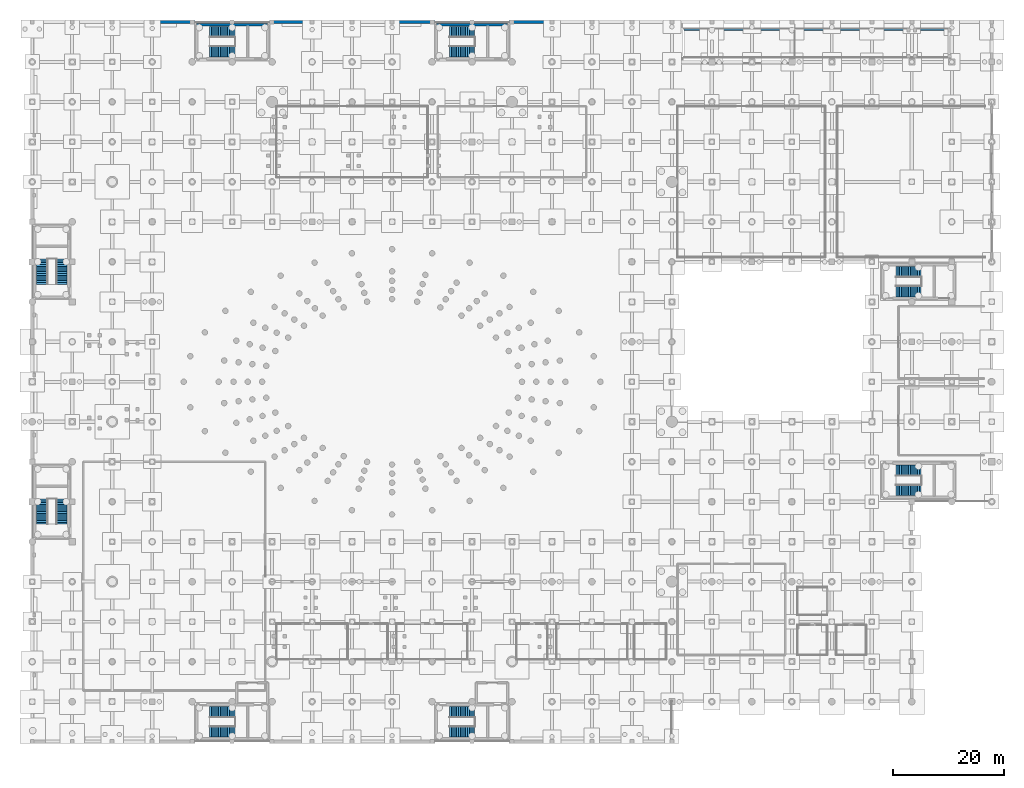
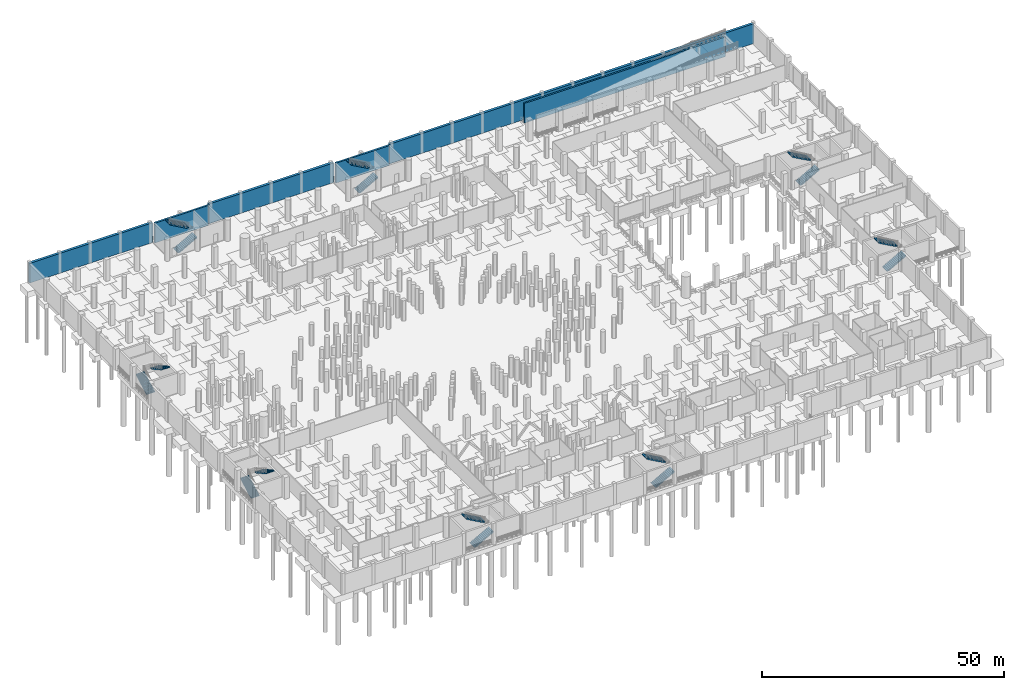
# One storey, part 29 of 37: 16 stair flights, 6 walls, 8 elements without a shape of their own.
"""IFC4 building model written with IfcOpenShell, lengths in metres."""

from ifc_helpers import new_model, si_unit, direction, frame, frame_2d, origin, place, context, subcontext, project, spatial, polyline, rectangle, outline, extrude, material, layer, layer_set, type_object, element, aggregate, save


model = new_model("IFC4")

# Units and contexts
model_context = context("Model", 3, precision=1e-05, world=origin(), true_north=direction((0.0, 1.0)))
body_context = subcontext(model_context, "Body", "Model", "MODEL_VIEW")
ifc_project = project(units=[si_unit("LENGTHUNIT", "METRE"), si_unit("AREAUNIT", "SQUARE_METRE"), si_unit("VOLUMEUNIT", "CUBIC_METRE"), si_unit("PLANEANGLEUNIT", "RADIAN"), si_unit("MASSUNIT", "GRAM", prefix="KILO")], contexts=[model_context])

# Site, building, storey
site_placement = place(None, origin())
site = spatial("IfcSite", under=ifc_project, at=site_placement, CompositionType="ELEMENT")
building_placement = place(site_placement, origin())
building = spatial("IfcBuilding", under=site, at=building_placement, Name="Qandorah Velis Arena", CompositionType="ELEMENT")
storey_placement = place(building_placement, frame((0.0, 0.0, -5.39990234375)))
storey = spatial("IfcBuildingStorey", under=building, at=storey_placement, Name="B1", CompositionType="ELEMENT", Elevation=-5.39990234375)

# Walls
ifc_material = material(Name="Concrete C40/50", Category="concrete")
ifc_layer_1 = layer(ifc_material, 0.449951171875)
ifc_layer_set_1 = layer_set([ifc_layer_1], Name="Concrete C40/50")
wall_type_1 = type_object("IfcWallType", Name="STR-WAL-CORE450", PredefinedType="SHEAR", material=ifc_layer_set_1)
wall_1_placement = place(storey_placement, frame((29.60009765625, 129.10009765625, 0.0), z_axis=(0.0, 0.0, 1.0), x_axis=(1.0, 0.0, 0.0)))
element("IfcWall", 1, at=wall_1_placement, inside=storey, type_object=wall_type_1, Name="Core CORE-03 shear wall N (B1)", PredefinedType="SHEAR", context=body_context, shape_type="SweptSolid", body=[
    extrude(rectangle(XDim=12.7998046875, YDim=0.449951171875, at=frame_2d((6.39990234375, 0.0))), origin(), (0.0, 0.0, 1.0), 5.02001953125),
])
wall_2_placement = place(storey_placement, frame((72.800048828125, 129.10009765625, 0.0), z_axis=(0.0, 0.0, 1.0), x_axis=(1.0, 0.0, 0.0)))
element("IfcWall", 2, at=wall_2_placement, inside=storey, type_object=wall_type_1, Name="Core CORE-04 shear wall N (B1)", PredefinedType="SHEAR", context=body_context, shape_type="SweptSolid", body=[
    extrude(rectangle(XDim=12.800048828125, YDim=0.449951171875, at=frame_2d((6.39990234375, 0.0))), origin(), (0.0, 0.0, 1.0), 5.02001953125),
])
ifc_layer_2 = layer(ifc_material, 0.60009765625)
ifc_layer_set_2 = layer_set([ifc_layer_2], Name="Concrete C40/50")
wall_type_2 = type_object("IfcWallType", Name="STR-WAL-RET600", PredefinedType="USERDEFINED", material=ifc_layer_set_2)
wall_3_placement = place(storey_placement, frame((0.0, 129.60009765625, 0.0), z_axis=(0.0, 0.0, 1.0), x_axis=(1.0, 0.0, 0.0)))
element("IfcWall", 3, at=wall_3_placement, inside=storey, type_object=wall_type_2, Name="Basement retaining wall RET-N1", ObjectType="RETAINING WALL", PredefinedType="USERDEFINED", context=body_context, shape_type="SweptSolid", body=[
    extrude(rectangle(XDim=29.300048828125, YDim=0.60009765625, at=frame_2d((14.64990234375, 0.0))), origin(), (0.0, 0.0, 1.0), 4.97998046875),
])
wall_4_placement = place(storey_placement, frame((42.699951171875, 129.60009765625, 0.0), z_axis=(0.0, 0.0, 1.0), x_axis=(1.0, 0.0, 0.0)))
element("IfcWall", 4, at=wall_4_placement, inside=storey, type_object=wall_type_2, Name="Basement retaining wall RET-N2", ObjectType="RETAINING WALL", PredefinedType="USERDEFINED", context=body_context, shape_type="SweptSolid", body=[
    extrude(rectangle(XDim=29.800048828125, YDim=0.60009765625, at=frame_2d((14.89990234375, 0.0))), origin(), (0.0, 0.0, 1.0), 4.97998046875),
])
wall_5_placement = place(storey_placement, frame((85.89990234375, 129.60009765625, 0.0), z_axis=(0.0, 0.0, 1.0), x_axis=(1.0, 0.0, 0.0)))
element("IfcWall", 5, at=wall_5_placement, inside=storey, type_object=wall_type_2, Name="Basement retaining wall RET-N3", ObjectType="RETAINING WALL", PredefinedType="USERDEFINED", context=body_context, shape_type="SweptSolid", body=[
    extrude(rectangle(XDim=86.900146484375, YDim=0.60009765625, at=frame_2d((43.4501953125, 0.0))), origin(), (0.0, 0.0, 1.0), 4.97998046875),
])
ifc_layer_3 = layer(ifc_material, 0.39990234375)
ifc_layer_set_3 = layer_set([ifc_layer_3], Name="Concrete C40/50")
wall_type_3 = type_object("IfcWallType", Name="STR-WAL-SH400", PredefinedType="SHEAR", material=ifc_layer_set_3)
wall_6_placement = place(storey_placement, frame((117.39990234375, 128.300048828125, 0.0), z_axis=(0.0, 0.0, 1.0), x_axis=(1.0, 0.0, 0.0)))
element("IfcWall", 6, at=wall_6_placement, inside=storey, type_object=wall_type_3, Name="Basement retaining wall RW-VR1-N", PredefinedType="SHEAR", context=body_context, shape_type="SweptSolid", body=[
    extrude(rectangle(XDim=48.0, YDim=0.39990234375, at=frame_2d((24.0, 0.0))), origin(), (0.0, 0.0, 1.0), 4.97998046875),
])

# Stair, stair flights
stair_type = type_object("IfcStairType", Name="ARC-ST-CORE54", PredefinedType="HALF_TURN_STAIR", material=ifc_material)
stair_1_placement = place(storey_placement, origin())
stair_1 = element("IfcStair", 7, at=stair_1_placement, inside=storey, type_object=stair_type, Name="Protected exit stair ST1 (B1)", PredefinedType="HALF_TURN_STAIR")
stair_flight_type = type_object("IfcStairFlightType", Name="ARC-STF-1650", PredefinedType="STRAIGHT", material=ifc_material)
stair_flight_1_placement = place(storey_placement, frame((31.949951171875, 1.800048828125, 0.0), z_axis=(0.0, 0.0, 1.0), x_axis=(1.0, 0.0, 0.0)))
stair_flight_1 = element("IfcStairFlight", 8, at=stair_flight_1_placement, type_object=stair_flight_type, Name="ST1 flight 1", NumberOfRisers=15, NumberOfTreads=14, PredefinedType="STRAIGHT", RiserHeight=0.18, TreadLength=0.324, context=body_context, shape_type="SweptSolid", body=[
    extrude(outline(polyline([(0.0, 0.0), (0.0, 0.179931640625), (0.323974609375, 0.179931640625), (0.323974609375, 0.360107421875), (0.64794921875, 0.360107421875), (0.64794921875, 0.5400390625), (0.971923828125, 0.5400390625), (0.971923828125, 0.719970703125), (1.2958984375, 0.719970703125), (1.2958984375, 0.89990234375), (1.6201171875, 0.89990234375), (1.6201171875, 1.080078125), (1.944091796875, 1.080078125), (1.944091796875, 1.260009765625), (2.26806640625, 1.260009765625), (2.26806640625, 1.43994140625), (2.592041015625, 1.43994140625), (2.592041015625, 1.6201171875), (2.916015625, 1.6201171875), (2.916015625, 1.800048828125), (3.239990234375, 1.800048828125), (3.239990234375, 1.97998046875), (3.56396484375, 1.97998046875), (3.56396484375, 2.159912109375), (3.887939453125, 2.159912109375), (3.887939453125, 2.340087890625), (4.2119140625, 2.340087890625), (4.2119140625, 2.52001953125), (4.535888671875, 2.52001953125), (4.535888671875, 2.699951171875), (4.535888671875, 2.268310546875), (0.452880859375, 0.0), (0.0, 0.0)])), frame((0.0, 0.989990234375, 0.0), z_axis=(0.0, -1.0, 0.0), x_axis=(1.0, 0.0, 0.0)), (0.0, 0.0, 1.0), 1.97998046875),
])
stair_flight_2_placement = place(storey_placement, frame((36.486083984375, 5.300048828125, 2.699951171875), z_axis=(0.0, 0.0, 1.0), x_axis=(-1.0, 0.0, 0.0)))
stair_flight_2 = element("IfcStairFlight", 9, at=stair_flight_2_placement, type_object=stair_flight_type, Name="ST1 flight 2", NumberOfRisers=15, NumberOfTreads=14, PredefinedType="STRAIGHT", RiserHeight=0.18, TreadLength=0.324, context=body_context, shape_type="SweptSolid", body=[
    extrude(outline(polyline([(0.0, 0.0), (0.0, 0.179931640625), (0.323974609375, 0.179931640625), (0.323974609375, 0.360107421875), (0.64794921875, 0.360107421875), (0.64794921875, 0.5400390625), (0.971923828125, 0.5400390625), (0.971923828125, 0.719970703125), (1.2958984375, 0.719970703125), (1.2958984375, 0.89990234375), (1.6201171875, 0.89990234375), (1.6201171875, 1.080078125), (1.944091796875, 1.080078125), (1.944091796875, 1.260009765625), (2.26806640625, 1.260009765625), (2.26806640625, 1.43994140625), (2.592041015625, 1.43994140625), (2.592041015625, 1.6201171875), (2.916015625, 1.6201171875), (2.916015625, 1.800048828125), (3.239990234375, 1.800048828125), (3.239990234375, 1.97998046875), (3.56396484375, 1.97998046875), (3.56396484375, 2.159912109375), (3.887939453125, 2.159912109375), (3.887939453125, 2.340087890625), (4.2119140625, 2.340087890625), (4.2119140625, 2.52001953125), (4.535888671875, 2.52001953125), (4.535888671875, 2.699951171875), (4.535888671875, 2.268310546875), (0.452880859375, 0.0), (0.0, 0.0)])), frame((0.0, 0.989990234375, 0.0), z_axis=(0.0, -1.0, 0.0), x_axis=(1.0, 0.0, 0.0)), (0.0, 0.0, 1.0), 1.97998046875),
])
aggregate(stair_1, [stair_flight_1, stair_flight_2])

stair_2_placement = place(storey_placement, origin())
stair_2 = element("IfcStair", 10, at=stair_2_placement, inside=storey, type_object=stair_type, Name="Protected exit stair ST2 (B1)", PredefinedType="HALF_TURN_STAIR")
stair_flight_3_placement = place(storey_placement, frame((75.14990234375, 1.800048828125, 0.0), z_axis=(0.0, 0.0, 1.0), x_axis=(1.0, 0.0, 0.0)))
stair_flight_3 = element("IfcStairFlight", 11, at=stair_flight_3_placement, type_object=stair_flight_type, Name="ST2 flight 1", NumberOfRisers=15, NumberOfTreads=14, PredefinedType="STRAIGHT", RiserHeight=0.18, TreadLength=0.324, context=body_context, shape_type="SweptSolid", body=[
    extrude(outline(polyline([(0.0, 0.0), (0.0, 0.179931640625), (0.323974609375, 0.179931640625), (0.323974609375, 0.360107421875), (0.64794921875, 0.360107421875), (0.64794921875, 0.5400390625), (0.971923828125, 0.5400390625), (0.971923828125, 0.719970703125), (1.2958984375, 0.719970703125), (1.2958984375, 0.89990234375), (1.6201171875, 0.89990234375), (1.6201171875, 1.080078125), (1.944091796875, 1.080078125), (1.944091796875, 1.260009765625), (2.26806640625, 1.260009765625), (2.26806640625, 1.43994140625), (2.592041015625, 1.43994140625), (2.592041015625, 1.6201171875), (2.916015625, 1.6201171875), (2.916015625, 1.800048828125), (3.239990234375, 1.800048828125), (3.239990234375, 1.97998046875), (3.56396484375, 1.97998046875), (3.56396484375, 2.159912109375), (3.887939453125, 2.159912109375), (3.887939453125, 2.340087890625), (4.2119140625, 2.340087890625), (4.2119140625, 2.52001953125), (4.535888671875, 2.52001953125), (4.535888671875, 2.699951171875), (4.535888671875, 2.268310546875), (0.452880859375, 0.0), (0.0, 0.0)])), frame((0.0, 0.989990234375, 0.0), z_axis=(0.0, -1.0, 0.0), x_axis=(1.0, 0.0, 0.0)), (0.0, 0.0, 1.0), 1.97998046875),
])
stair_flight_4_placement = place(storey_placement, frame((79.68603515625, 5.300048828125, 2.699951171875), z_axis=(0.0, 0.0, 1.0), x_axis=(-1.0, 0.0, 0.0)))
stair_flight_4 = element("IfcStairFlight", 12, at=stair_flight_4_placement, type_object=stair_flight_type, Name="ST2 flight 2", NumberOfRisers=15, NumberOfTreads=14, PredefinedType="STRAIGHT", RiserHeight=0.18, TreadLength=0.324, context=body_context, shape_type="SweptSolid", body=[
    extrude(outline(polyline([(0.0, 0.0), (0.0, 0.179931640625), (0.323974609375, 0.179931640625), (0.323974609375, 0.360107421875), (0.64794921875, 0.360107421875), (0.64794921875, 0.5400390625), (0.971923828125, 0.5400390625), (0.971923828125, 0.719970703125), (1.2958984375, 0.719970703125), (1.2958984375, 0.89990234375), (1.6201171875, 0.89990234375), (1.6201171875, 1.080078125), (1.944091796875, 1.080078125), (1.944091796875, 1.260009765625), (2.26806640625, 1.260009765625), (2.26806640625, 1.43994140625), (2.592041015625, 1.43994140625), (2.592041015625, 1.6201171875), (2.916015625, 1.6201171875), (2.916015625, 1.800048828125), (3.239990234375, 1.800048828125), (3.239990234375, 1.97998046875), (3.56396484375, 1.97998046875), (3.56396484375, 2.159912109375), (3.887939453125, 2.159912109375), (3.887939453125, 2.340087890625), (4.2119140625, 2.340087890625), (4.2119140625, 2.52001953125), (4.535888671875, 2.52001953125), (4.535888671875, 2.699951171875), (4.535888671875, 2.268310546875), (0.452880859375, 0.0), (0.0, 0.0)])), frame((0.0, 0.989990234375, 0.0), z_axis=(0.0, -1.0, 0.0), x_axis=(1.0, 0.0, 0.0)), (0.0, 0.0, 1.0), 1.97998046875),
])
aggregate(stair_2, [stair_flight_3, stair_flight_4])

stair_3_placement = place(storey_placement, origin())
stair_3 = element("IfcStair", 13, at=stair_3_placement, inside=storey, type_object=stair_type, Name="Protected exit stair ST3 (B1)", PredefinedType="HALF_TURN_STAIR")
stair_flight_5_placement = place(storey_placement, frame((31.949951171875, 124.300048828125, 0.0), z_axis=(0.0, 0.0, 1.0), x_axis=(1.0, 0.0, 0.0)))
stair_flight_5 = element("IfcStairFlight", 14, at=stair_flight_5_placement, type_object=stair_flight_type, Name="ST3 flight 1", NumberOfRisers=15, NumberOfTreads=14, PredefinedType="STRAIGHT", RiserHeight=0.18, TreadLength=0.324, context=body_context, shape_type="SweptSolid", body=[
    extrude(outline(polyline([(0.0, 0.0), (0.0, 0.179931640625), (0.323974609375, 0.179931640625), (0.323974609375, 0.360107421875), (0.64794921875, 0.360107421875), (0.64794921875, 0.5400390625), (0.971923828125, 0.5400390625), (0.971923828125, 0.719970703125), (1.2958984375, 0.719970703125), (1.2958984375, 0.89990234375), (1.6201171875, 0.89990234375), (1.6201171875, 1.080078125), (1.944091796875, 1.080078125), (1.944091796875, 1.260009765625), (2.26806640625, 1.260009765625), (2.26806640625, 1.43994140625), (2.592041015625, 1.43994140625), (2.592041015625, 1.6201171875), (2.916015625, 1.6201171875), (2.916015625, 1.800048828125), (3.239990234375, 1.800048828125), (3.239990234375, 1.97998046875), (3.56396484375, 1.97998046875), (3.56396484375, 2.159912109375), (3.887939453125, 2.159912109375), (3.887939453125, 2.340087890625), (4.2119140625, 2.340087890625), (4.2119140625, 2.52001953125), (4.535888671875, 2.52001953125), (4.535888671875, 2.699951171875), (4.535888671875, 2.268310546875), (0.452880859375, 0.0), (0.0, 0.0)])), frame((0.0, 0.989990234375, 0.0), z_axis=(0.0, -1.0, 0.0), x_axis=(1.0, 0.0, 0.0)), (0.0, 0.0, 1.0), 1.97998046875),
])
stair_flight_6_placement = place(storey_placement, frame((36.486083984375, 127.800048828125, 2.699951171875), z_axis=(0.0, 0.0, 1.0), x_axis=(-1.0, 0.0, 0.0)))
stair_flight_6 = element("IfcStairFlight", 15, at=stair_flight_6_placement, type_object=stair_flight_type, Name="ST3 flight 2", NumberOfRisers=15, NumberOfTreads=14, PredefinedType="STRAIGHT", RiserHeight=0.18, TreadLength=0.324, context=body_context, shape_type="SweptSolid", body=[
    extrude(outline(polyline([(0.0, 0.0), (0.0, 0.179931640625), (0.323974609375, 0.179931640625), (0.323974609375, 0.360107421875), (0.64794921875, 0.360107421875), (0.64794921875, 0.5400390625), (0.971923828125, 0.5400390625), (0.971923828125, 0.719970703125), (1.2958984375, 0.719970703125), (1.2958984375, 0.89990234375), (1.6201171875, 0.89990234375), (1.6201171875, 1.080078125), (1.944091796875, 1.080078125), (1.944091796875, 1.260009765625), (2.26806640625, 1.260009765625), (2.26806640625, 1.43994140625), (2.592041015625, 1.43994140625), (2.592041015625, 1.6201171875), (2.916015625, 1.6201171875), (2.916015625, 1.800048828125), (3.239990234375, 1.800048828125), (3.239990234375, 1.97998046875), (3.56396484375, 1.97998046875), (3.56396484375, 2.159912109375), (3.887939453125, 2.159912109375), (3.887939453125, 2.340087890625), (4.2119140625, 2.340087890625), (4.2119140625, 2.52001953125), (4.535888671875, 2.52001953125), (4.535888671875, 2.699951171875), (4.535888671875, 2.268310546875), (0.452880859375, 0.0), (0.0, 0.0)])), frame((0.0, 0.989990234375, 0.0), z_axis=(0.0, -1.0, 0.0), x_axis=(1.0, 0.0, 0.0)), (0.0, 0.0, 1.0), 1.97998046875),
])
aggregate(stair_3, [stair_flight_5, stair_flight_6])

stair_4_placement = place(storey_placement, origin())
stair_4 = element("IfcStair", 16, at=stair_4_placement, inside=storey, type_object=stair_type, Name="Protected exit stair ST4 (B1)", PredefinedType="HALF_TURN_STAIR")
stair_flight_7_placement = place(storey_placement, frame((75.14990234375, 124.300048828125, 0.0), z_axis=(0.0, 0.0, 1.0), x_axis=(1.0, 0.0, 0.0)))
stair_flight_7 = element("IfcStairFlight", 17, at=stair_flight_7_placement, type_object=stair_flight_type, Name="ST4 flight 1", NumberOfRisers=15, NumberOfTreads=14, PredefinedType="STRAIGHT", RiserHeight=0.18, TreadLength=0.324, context=body_context, shape_type="SweptSolid", body=[
    extrude(outline(polyline([(0.0, 0.0), (0.0, 0.179931640625), (0.323974609375, 0.179931640625), (0.323974609375, 0.360107421875), (0.64794921875, 0.360107421875), (0.64794921875, 0.5400390625), (0.971923828125, 0.5400390625), (0.971923828125, 0.719970703125), (1.2958984375, 0.719970703125), (1.2958984375, 0.89990234375), (1.6201171875, 0.89990234375), (1.6201171875, 1.080078125), (1.944091796875, 1.080078125), (1.944091796875, 1.260009765625), (2.26806640625, 1.260009765625), (2.26806640625, 1.43994140625), (2.592041015625, 1.43994140625), (2.592041015625, 1.6201171875), (2.916015625, 1.6201171875), (2.916015625, 1.800048828125), (3.239990234375, 1.800048828125), (3.239990234375, 1.97998046875), (3.56396484375, 1.97998046875), (3.56396484375, 2.159912109375), (3.887939453125, 2.159912109375), (3.887939453125, 2.340087890625), (4.2119140625, 2.340087890625), (4.2119140625, 2.52001953125), (4.535888671875, 2.52001953125), (4.535888671875, 2.699951171875), (4.535888671875, 2.268310546875), (0.452880859375, 0.0), (0.0, 0.0)])), frame((0.0, 0.989990234375, 0.0), z_axis=(0.0, -1.0, 0.0), x_axis=(1.0, 0.0, 0.0)), (0.0, 0.0, 1.0), 1.97998046875),
])
stair_flight_8_placement = place(storey_placement, frame((79.68603515625, 127.800048828125, 2.699951171875), z_axis=(0.0, 0.0, 1.0), x_axis=(-1.0, 0.0, 0.0)))
stair_flight_8 = element("IfcStairFlight", 18, at=stair_flight_8_placement, type_object=stair_flight_type, Name="ST4 flight 2", NumberOfRisers=15, NumberOfTreads=14, PredefinedType="STRAIGHT", RiserHeight=0.18, TreadLength=0.324, context=body_context, shape_type="SweptSolid", body=[
    extrude(outline(polyline([(0.0, 0.0), (0.0, 0.179931640625), (0.323974609375, 0.179931640625), (0.323974609375, 0.360107421875), (0.64794921875, 0.360107421875), (0.64794921875, 0.5400390625), (0.971923828125, 0.5400390625), (0.971923828125, 0.719970703125), (1.2958984375, 0.719970703125), (1.2958984375, 0.89990234375), (1.6201171875, 0.89990234375), (1.6201171875, 1.080078125), (1.944091796875, 1.080078125), (1.944091796875, 1.260009765625), (2.26806640625, 1.260009765625), (2.26806640625, 1.43994140625), (2.592041015625, 1.43994140625), (2.592041015625, 1.6201171875), (2.916015625, 1.6201171875), (2.916015625, 1.800048828125), (3.239990234375, 1.800048828125), (3.239990234375, 1.97998046875), (3.56396484375, 1.97998046875), (3.56396484375, 2.159912109375), (3.887939453125, 2.159912109375), (3.887939453125, 2.340087890625), (4.2119140625, 2.340087890625), (4.2119140625, 2.52001953125), (4.535888671875, 2.52001953125), (4.535888671875, 2.699951171875), (4.535888671875, 2.268310546875), (0.452880859375, 0.0), (0.0, 0.0)])), frame((0.0, 0.989990234375, 0.0), z_axis=(0.0, -1.0, 0.0), x_axis=(1.0, 0.0, 0.0)), (0.0, 0.0, 1.0), 1.97998046875),
])
aggregate(stair_4, [stair_flight_7, stair_flight_8])

stair_5_placement = place(storey_placement, origin())
stair_5 = element("IfcStair", 19, at=stair_5_placement, inside=storey, type_object=stair_type, Name="Protected exit stair ST5 (B1)", PredefinedType="HALF_TURN_STAIR")
stair_flight_9_placement = place(storey_placement, frame((1.800048828125, 39.14990234375, 0.0), z_axis=(0.0, 0.0, 1.0), x_axis=(0.0, 1.0, 0.0)))
stair_flight_9 = element("IfcStairFlight", 20, at=stair_flight_9_placement, type_object=stair_flight_type, Name="ST5 flight 1", NumberOfRisers=15, NumberOfTreads=14, PredefinedType="STRAIGHT", RiserHeight=0.18, TreadLength=0.324, context=body_context, shape_type="SweptSolid", body=[
    extrude(outline(polyline([(0.0, 0.0), (0.0, 0.179931640625), (0.323974609375, 0.179931640625), (0.323974609375, 0.360107421875), (0.64794921875, 0.360107421875), (0.64794921875, 0.5400390625), (0.971923828125, 0.5400390625), (0.971923828125, 0.719970703125), (1.2958984375, 0.719970703125), (1.2958984375, 0.89990234375), (1.6201171875, 0.89990234375), (1.6201171875, 1.080078125), (1.944091796875, 1.080078125), (1.944091796875, 1.260009765625), (2.26806640625, 1.260009765625), (2.26806640625, 1.43994140625), (2.592041015625, 1.43994140625), (2.592041015625, 1.6201171875), (2.916015625, 1.6201171875), (2.916015625, 1.800048828125), (3.239990234375, 1.800048828125), (3.239990234375, 1.97998046875), (3.56396484375, 1.97998046875), (3.56396484375, 2.159912109375), (3.887939453125, 2.159912109375), (3.887939453125, 2.340087890625), (4.2119140625, 2.340087890625), (4.2119140625, 2.52001953125), (4.535888671875, 2.52001953125), (4.535888671875, 2.699951171875), (4.535888671875, 2.268310546875), (0.452880859375, 0.0), (0.0, 0.0)])), frame((0.0, 0.989990234375, 0.0), z_axis=(0.0, -1.0, 0.0), x_axis=(1.0, 0.0, 0.0)), (0.0, 0.0, 1.0), 1.97998046875),
])
stair_flight_10_placement = place(storey_placement, frame((5.300048828125, 43.68603515625, 2.699951171875), z_axis=(0.0, 0.0, 1.0), x_axis=(0.0, -1.0, 0.0)))
stair_flight_10 = element("IfcStairFlight", 21, at=stair_flight_10_placement, type_object=stair_flight_type, Name="ST5 flight 2", NumberOfRisers=15, NumberOfTreads=14, PredefinedType="STRAIGHT", RiserHeight=0.18, TreadLength=0.324, context=body_context, shape_type="SweptSolid", body=[
    extrude(outline(polyline([(0.0, 0.0), (0.0, 0.179931640625), (0.323974609375, 0.179931640625), (0.323974609375, 0.360107421875), (0.64794921875, 0.360107421875), (0.64794921875, 0.5400390625), (0.971923828125, 0.5400390625), (0.971923828125, 0.719970703125), (1.2958984375, 0.719970703125), (1.2958984375, 0.89990234375), (1.6201171875, 0.89990234375), (1.6201171875, 1.080078125), (1.944091796875, 1.080078125), (1.944091796875, 1.260009765625), (2.26806640625, 1.260009765625), (2.26806640625, 1.43994140625), (2.592041015625, 1.43994140625), (2.592041015625, 1.6201171875), (2.916015625, 1.6201171875), (2.916015625, 1.800048828125), (3.239990234375, 1.800048828125), (3.239990234375, 1.97998046875), (3.56396484375, 1.97998046875), (3.56396484375, 2.159912109375), (3.887939453125, 2.159912109375), (3.887939453125, 2.340087890625), (4.2119140625, 2.340087890625), (4.2119140625, 2.52001953125), (4.535888671875, 2.52001953125), (4.535888671875, 2.699951171875), (4.535888671875, 2.268310546875), (0.452880859375, 0.0), (0.0, 0.0)])), frame((0.0, 0.989990234375, 0.0), z_axis=(0.0, -1.0, 0.0), x_axis=(1.0, 0.0, 0.0)), (0.0, 0.0, 1.0), 1.97998046875),
])
aggregate(stair_5, [stair_flight_9, stair_flight_10])

stair_6_placement = place(storey_placement, origin())
stair_6 = element("IfcStair", 22, at=stair_6_placement, inside=storey, type_object=stair_type, Name="Protected exit stair ST6 (B1)", PredefinedType="HALF_TURN_STAIR")
stair_flight_11_placement = place(storey_placement, frame((1.800048828125, 82.35009765625, 0.0), z_axis=(0.0, 0.0, 1.0), x_axis=(0.0, 1.0, 0.0)))
stair_flight_11 = element("IfcStairFlight", 23, at=stair_flight_11_placement, type_object=stair_flight_type, Name="ST6 flight 1", NumberOfRisers=15, NumberOfTreads=14, PredefinedType="STRAIGHT", RiserHeight=0.18, TreadLength=0.324, context=body_context, shape_type="SweptSolid", body=[
    extrude(outline(polyline([(0.0, 0.0), (0.0, 0.179931640625), (0.323974609375, 0.179931640625), (0.323974609375, 0.360107421875), (0.64794921875, 0.360107421875), (0.64794921875, 0.5400390625), (0.971923828125, 0.5400390625), (0.971923828125, 0.719970703125), (1.2958984375, 0.719970703125), (1.2958984375, 0.89990234375), (1.6201171875, 0.89990234375), (1.6201171875, 1.080078125), (1.944091796875, 1.080078125), (1.944091796875, 1.260009765625), (2.26806640625, 1.260009765625), (2.26806640625, 1.43994140625), (2.592041015625, 1.43994140625), (2.592041015625, 1.6201171875), (2.916015625, 1.6201171875), (2.916015625, 1.800048828125), (3.239990234375, 1.800048828125), (3.239990234375, 1.97998046875), (3.56396484375, 1.97998046875), (3.56396484375, 2.159912109375), (3.887939453125, 2.159912109375), (3.887939453125, 2.340087890625), (4.2119140625, 2.340087890625), (4.2119140625, 2.52001953125), (4.535888671875, 2.52001953125), (4.535888671875, 2.699951171875), (4.535888671875, 2.268310546875), (0.452880859375, 0.0), (0.0, 0.0)])), frame((0.0, 0.989990234375, 0.0), z_axis=(0.0, -1.0, 0.0), x_axis=(1.0, 0.0, 0.0)), (0.0, 0.0, 1.0), 1.97998046875),
])
stair_flight_12_placement = place(storey_placement, frame((5.300048828125, 86.885986328125, 2.699951171875), z_axis=(0.0, 0.0, 1.0), x_axis=(0.0, -1.0, 0.0)))
stair_flight_12 = element("IfcStairFlight", 24, at=stair_flight_12_placement, type_object=stair_flight_type, Name="ST6 flight 2", NumberOfRisers=15, NumberOfTreads=14, PredefinedType="STRAIGHT", RiserHeight=0.18, TreadLength=0.324, context=body_context, shape_type="SweptSolid", body=[
    extrude(outline(polyline([(0.0, 0.0), (0.0, 0.179931640625), (0.323974609375, 0.179931640625), (0.323974609375, 0.360107421875), (0.64794921875, 0.360107421875), (0.64794921875, 0.5400390625), (0.971923828125, 0.5400390625), (0.971923828125, 0.719970703125), (1.2958984375, 0.719970703125), (1.2958984375, 0.89990234375), (1.6201171875, 0.89990234375), (1.6201171875, 1.080078125), (1.944091796875, 1.080078125), (1.944091796875, 1.260009765625), (2.26806640625, 1.260009765625), (2.26806640625, 1.43994140625), (2.592041015625, 1.43994140625), (2.592041015625, 1.6201171875), (2.916015625, 1.6201171875), (2.916015625, 1.800048828125), (3.239990234375, 1.800048828125), (3.239990234375, 1.97998046875), (3.56396484375, 1.97998046875), (3.56396484375, 2.159912109375), (3.887939453125, 2.159912109375), (3.887939453125, 2.340087890625), (4.2119140625, 2.340087890625), (4.2119140625, 2.52001953125), (4.535888671875, 2.52001953125), (4.535888671875, 2.699951171875), (4.535888671875, 2.268310546875), (0.452880859375, 0.0), (0.0, 0.0)])), frame((0.0, 0.989990234375, 0.0), z_axis=(0.0, -1.0, 0.0), x_axis=(1.0, 0.0, 0.0)), (0.0, 0.0, 1.0), 1.97998046875),
])
aggregate(stair_6, [stair_flight_11, stair_flight_12])

stair_7_placement = place(storey_placement, origin())
stair_7 = element("IfcStair", 25, at=stair_7_placement, inside=storey, type_object=stair_type, Name="Protected exit stair ST7 (B1)", PredefinedType="HALF_TURN_STAIR")
stair_flight_13_placement = place(storey_placement, frame((155.550048828125, 45.300048828125, 0.0), z_axis=(0.0, 0.0, 1.0), x_axis=(1.0, 0.0, 0.0)))
stair_flight_13 = element("IfcStairFlight", 26, at=stair_flight_13_placement, type_object=stair_flight_type, Name="ST7 flight 1", NumberOfRisers=15, NumberOfTreads=14, PredefinedType="STRAIGHT", RiserHeight=0.18, TreadLength=0.324, context=body_context, shape_type="SweptSolid", body=[
    extrude(outline(polyline([(0.0, 0.0), (0.0, 0.179931640625), (0.323974609375, 0.179931640625), (0.323974609375, 0.360107421875), (0.64794921875, 0.360107421875), (0.64794921875, 0.5400390625), (0.971923828125, 0.5400390625), (0.971923828125, 0.719970703125), (1.2958984375, 0.719970703125), (1.2958984375, 0.89990234375), (1.6201171875, 0.89990234375), (1.6201171875, 1.080078125), (1.944091796875, 1.080078125), (1.944091796875, 1.260009765625), (2.26806640625, 1.260009765625), (2.26806640625, 1.43994140625), (2.592041015625, 1.43994140625), (2.592041015625, 1.6201171875), (2.916015625, 1.6201171875), (2.916015625, 1.800048828125), (3.239990234375, 1.800048828125), (3.239990234375, 1.97998046875), (3.56396484375, 1.97998046875), (3.56396484375, 2.159912109375), (3.887939453125, 2.159912109375), (3.887939453125, 2.340087890625), (4.2119140625, 2.340087890625), (4.2119140625, 2.52001953125), (4.535888671875, 2.52001953125), (4.535888671875, 2.699951171875), (4.535888671875, 2.268310546875), (0.452880859375, 0.0), (0.0, 0.0)])), frame((0.0, 0.989990234375, 0.0), z_axis=(0.0, -1.0, 0.0), x_axis=(1.0, 0.0, 0.0)), (0.0, 0.0, 1.0), 1.97998046875),
])
stair_flight_14_placement = place(storey_placement, frame((160.0859375, 48.800048828125, 2.699951171875), z_axis=(0.0, 0.0, 1.0), x_axis=(-1.0, 0.0, 0.0)))
stair_flight_14 = element("IfcStairFlight", 27, at=stair_flight_14_placement, type_object=stair_flight_type, Name="ST7 flight 2", NumberOfRisers=15, NumberOfTreads=14, PredefinedType="STRAIGHT", RiserHeight=0.18, TreadLength=0.324, context=body_context, shape_type="SweptSolid", body=[
    extrude(outline(polyline([(0.0, 0.0), (0.0, 0.179931640625), (0.323974609375, 0.179931640625), (0.323974609375, 0.360107421875), (0.64794921875, 0.360107421875), (0.64794921875, 0.5400390625), (0.971923828125, 0.5400390625), (0.971923828125, 0.719970703125), (1.2958984375, 0.719970703125), (1.2958984375, 0.89990234375), (1.6201171875, 0.89990234375), (1.6201171875, 1.080078125), (1.944091796875, 1.080078125), (1.944091796875, 1.260009765625), (2.26806640625, 1.260009765625), (2.26806640625, 1.43994140625), (2.592041015625, 1.43994140625), (2.592041015625, 1.6201171875), (2.916015625, 1.6201171875), (2.916015625, 1.800048828125), (3.239990234375, 1.800048828125), (3.239990234375, 1.97998046875), (3.56396484375, 1.97998046875), (3.56396484375, 2.159912109375), (3.887939453125, 2.159912109375), (3.887939453125, 2.340087890625), (4.2119140625, 2.340087890625), (4.2119140625, 2.52001953125), (4.535888671875, 2.52001953125), (4.535888671875, 2.699951171875), (4.535888671875, 2.268310546875), (0.452880859375, 0.0), (0.0, 0.0)])), frame((0.0, 0.989990234375, 0.0), z_axis=(0.0, -1.0, 0.0), x_axis=(1.0, 0.0, 0.0)), (0.0, 0.0, 1.0), 1.97998046875),
])
aggregate(stair_7, [stair_flight_13, stair_flight_14])

stair_8_placement = place(storey_placement, origin())
stair_8 = element("IfcStair", 28, at=stair_8_placement, inside=storey, type_object=stair_type, Name="Protected exit stair ST8 (B1)", PredefinedType="HALF_TURN_STAIR")
stair_flight_15_placement = place(storey_placement, frame((155.550048828125, 81.10009765625, 0.0), z_axis=(0.0, 0.0, 1.0), x_axis=(1.0, 0.0, 0.0)))
stair_flight_15 = element("IfcStairFlight", 29, at=stair_flight_15_placement, type_object=stair_flight_type, Name="ST8 flight 1", NumberOfRisers=15, NumberOfTreads=14, PredefinedType="STRAIGHT", RiserHeight=0.18, TreadLength=0.324, context=body_context, shape_type="SweptSolid", body=[
    extrude(outline(polyline([(0.0, 0.0), (0.0, 0.179931640625), (0.323974609375, 0.179931640625), (0.323974609375, 0.360107421875), (0.64794921875, 0.360107421875), (0.64794921875, 0.5400390625), (0.971923828125, 0.5400390625), (0.971923828125, 0.719970703125), (1.2958984375, 0.719970703125), (1.2958984375, 0.89990234375), (1.6201171875, 0.89990234375), (1.6201171875, 1.080078125), (1.944091796875, 1.080078125), (1.944091796875, 1.260009765625), (2.26806640625, 1.260009765625), (2.26806640625, 1.43994140625), (2.592041015625, 1.43994140625), (2.592041015625, 1.6201171875), (2.916015625, 1.6201171875), (2.916015625, 1.800048828125), (3.239990234375, 1.800048828125), (3.239990234375, 1.97998046875), (3.56396484375, 1.97998046875), (3.56396484375, 2.159912109375), (3.887939453125, 2.159912109375), (3.887939453125, 2.340087890625), (4.2119140625, 2.340087890625), (4.2119140625, 2.52001953125), (4.535888671875, 2.52001953125), (4.535888671875, 2.699951171875), (4.535888671875, 2.268310546875), (0.452880859375, 0.0), (0.0, 0.0)])), frame((0.0, 0.989990234375, 0.0), z_axis=(0.0, -1.0, 0.0), x_axis=(1.0, 0.0, 0.0)), (0.0, 0.0, 1.0), 1.97998046875),
])
stair_flight_16_placement = place(storey_placement, frame((160.0859375, 84.60009765625, 2.699951171875), z_axis=(0.0, 0.0, 1.0), x_axis=(-1.0, 0.0, 0.0)))
stair_flight_16 = element("IfcStairFlight", 30, at=stair_flight_16_placement, type_object=stair_flight_type, Name="ST8 flight 2", NumberOfRisers=15, NumberOfTreads=14, PredefinedType="STRAIGHT", RiserHeight=0.18, TreadLength=0.324, context=body_context, shape_type="SweptSolid", body=[
    extrude(outline(polyline([(0.0, 0.0), (0.0, 0.179931640625), (0.323974609375, 0.179931640625), (0.323974609375, 0.360107421875), (0.64794921875, 0.360107421875), (0.64794921875, 0.5400390625), (0.971923828125, 0.5400390625), (0.971923828125, 0.719970703125), (1.2958984375, 0.719970703125), (1.2958984375, 0.89990234375), (1.6201171875, 0.89990234375), (1.6201171875, 1.080078125), (1.944091796875, 1.080078125), (1.944091796875, 1.260009765625), (2.26806640625, 1.260009765625), (2.26806640625, 1.43994140625), (2.592041015625, 1.43994140625), (2.592041015625, 1.6201171875), (2.916015625, 1.6201171875), (2.916015625, 1.800048828125), (3.239990234375, 1.800048828125), (3.239990234375, 1.97998046875), (3.56396484375, 1.97998046875), (3.56396484375, 2.159912109375), (3.887939453125, 2.159912109375), (3.887939453125, 2.340087890625), (4.2119140625, 2.340087890625), (4.2119140625, 2.52001953125), (4.535888671875, 2.52001953125), (4.535888671875, 2.699951171875), (4.535888671875, 2.268310546875), (0.452880859375, 0.0), (0.0, 0.0)])), frame((0.0, 0.989990234375, 0.0), z_axis=(0.0, -1.0, 0.0), x_axis=(1.0, 0.0, 0.0)), (0.0, 0.0, 1.0), 1.97998046875),
])
aggregate(stair_8, [stair_flight_15, stair_flight_16])

save(model, "model.ifc")
